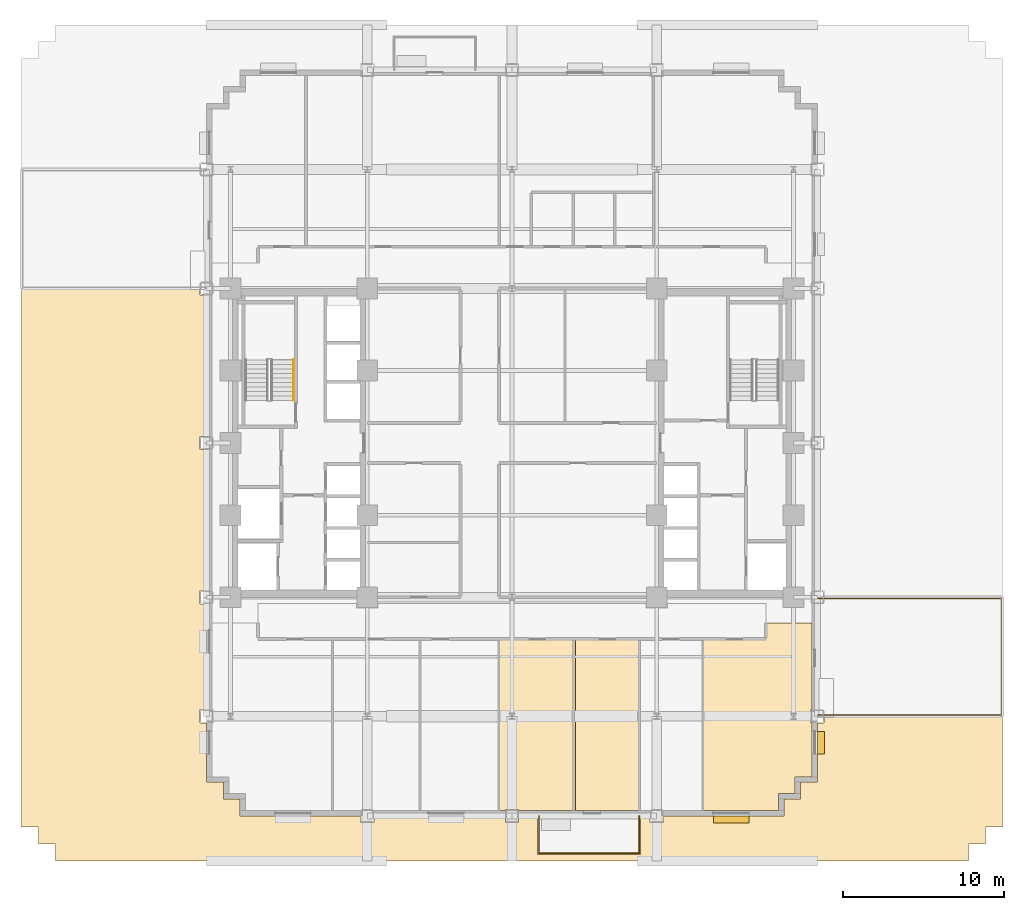
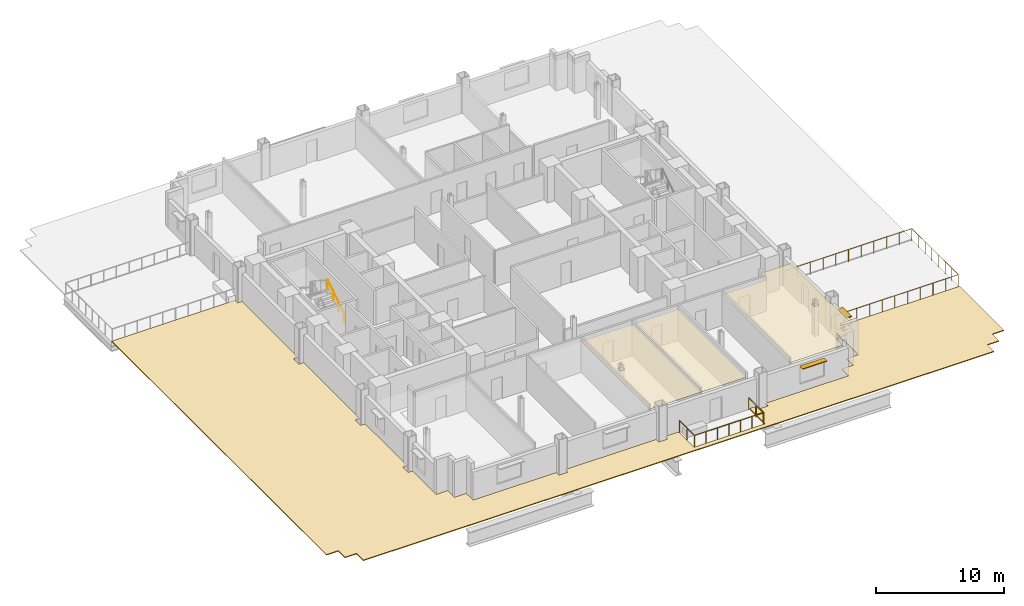
# One storey, part 11 of 13: 4 coverings, 3 railings, 2 shading devices.
"""IFC4 building model written with IfcOpenShell, lengths in metres."""

from ifc_helpers import new_model, si_unit, direction, frame, origin, origin_2d, place, context, subcontext, project, spatial, polyline, rectangle, circle, outline, extrude, source, transform, mapped, material, layer, layer_set, type_object, type_shapes, element, save


model = new_model("IFC4")

# Units and contexts
model_context = context("Model", 3, precision=1e-05, world=origin(), true_north=direction((0.0, 1.0)))
body_context = subcontext(model_context, "Body", "Model", "MODEL_VIEW")
ifc_project = project(units=[si_unit("LENGTHUNIT", "METRE"), si_unit("AREAUNIT", "SQUARE_METRE"), si_unit("VOLUMEUNIT", "CUBIC_METRE"), si_unit("PLANEANGLEUNIT", "RADIAN"), si_unit("MASSUNIT", "GRAM", prefix="KILO")], contexts=[model_context])

# Site, building, storey
site_placement = place(None, origin())
site = spatial("IfcSite", under=ifc_project, at=site_placement, CompositionType="ELEMENT")
building_placement = place(site_placement, origin())
building = spatial("IfcBuilding", under=site, at=building_placement, Name="Nuvemarco Arch Tower", CompositionType="ELEMENT")
storey_placement = place(building_placement, frame((0.0, 0.0, 27.60009765625)))
storey = spatial("IfcBuildingStorey", under=building, at=storey_placement, Name="L06", CompositionType="ELEMENT", Elevation=27.60009765625)

# Coverings
ifc_material_1 = material(Name="Mineral acoustic ceiling tile")
ifc_layer_1 = layer(ifc_material_1, 0.0400390625, Name="COV-ACOUSTIC-CLG")
ifc_layer_set_1 = layer_set([ifc_layer_1], Name="Mineral acoustic ceiling tile")
covering_type_1 = type_object("IfcCoveringType", Name="COV-ACOUSTIC-CLG", PredefinedType="CEILING", material=ifc_layer_set_1)
covering_1_placement = place(storey_placement, frame((0.0, 0.0, 2.849853515625)))
element("IfcCovering", 1, at=covering_1_placement, inside=storey, type_object=covering_type_1, Name="L06 suspended acoustic ceiling 5", PredefinedType="CEILING", context=body_context, shape_type="SweptSolid", body=[
    extrude(outline(polyline([(16.56005859375, -22.860107421875), (11.8701171875, -22.860107421875), (11.8701171875, -12.199951171875), (15.800048828125, -12.199951171875), (15.800048828125, -11.199951171875), (18.659912109375, -11.199951171875), (18.659912109375, -16.5849609375), (18.5849609375, -16.5849609375), (18.5849609375, -17.4150390625), (18.659912109375, -17.4150390625), (18.659912109375, -20.760009765625), (17.610107421875, -20.760009765625), (17.610107421875, -21.81005859375), (16.56005859375, -21.81005859375), (16.56005859375, -22.860107421875)]), holes=[polyline([(17.695068359375, -17.195068359375), (17.695068359375, -16.804931640625), (17.304931640625, -16.804931640625), (17.304931640625, -17.195068359375), (17.695068359375, -17.195068359375)])]), origin(), (0.0, 0.0, 1.0), 0.0400390625),
])
covering_2_placement = place(storey_placement, frame((0.0, 0.0, 2.849853515625)))
element("IfcCovering", 2, at=covering_2_placement, inside=storey, type_object=covering_type_1, Name="L06 suspended acoustic ceiling 8", PredefinedType="CEILING", context=body_context, shape_type="SweptSolid", body=[
    extrude(outline(polyline([(0.4150390625, -22.860107421875), (0.4150390625, -22.784912109375), (-0.4150390625, -22.784912109375), (-0.4150390625, -22.860107421875), (-0.800048828125, -22.860107421875), (-0.800048828125, -12.199951171875), (3.949951171875, -12.199951171875), (3.949951171875, -22.860107421875), (0.4150390625, -22.860107421875)]), holes=[polyline([(0.195068359375, -17.195068359375), (0.195068359375, -16.804931640625), (-0.195068359375, -16.804931640625), (-0.195068359375, -17.195068359375), (0.195068359375, -17.195068359375)])]), origin(), (0.0, 0.0, 1.0), 0.0400390625),
])
covering_3_placement = place(storey_placement, frame((0.0, 0.0, 2.849853515625)))
element("IfcCovering", 3, at=covering_3_placement, inside=storey, type_object=covering_type_1, Name="L06 suspended acoustic ceiling 9", PredefinedType="CEILING", context=body_context, shape_type="SweptSolid", body=[
    extrude(outline(polyline([(3.949951171875, -22.860107421875), (3.949951171875, -12.199951171875), (7.909912109375, -12.199951171875), (7.909912109375, -22.860107421875), (3.949951171875, -22.860107421875)])), origin(), (0.0, 0.0, 1.0), 0.0400390625),
])
ifc_material_2 = material(Name="Elastomeric roofing membrane and insulation")
ifc_layer_2 = layer(ifc_material_2, 0.080078125, Name="COV-ROOF-MEMB")
ifc_layer_set_2 = layer_set([ifc_layer_2], Name="Elastomeric roofing membrane and insulation")
covering_type_2 = type_object("IfcCoveringType", Name="COV-ROOF-MEMB", PredefinedType="ROOFING", material=ifc_layer_set_2)
covering_4_placement = place(storey_placement, origin())
element("IfcCovering", 4, at=covering_4_placement, inside=storey, type_object=covering_type_2, Name="L06 setback roof elastomeric membrane and insulation 2", PredefinedType="ROOFING", context=body_context, shape_type="SweptSolid", body=[
    extrude(outline(polyline([(30.5, -23.89990234375), (29.449951171875, -23.89990234375), (29.449951171875, -24.949951171875), (28.39990234375, -24.949951171875), (28.39990234375, -26.0), (-28.39990234375, -26.0), (-28.39990234375, -24.949951171875), (-29.449951171875, -24.949951171875), (-29.449951171875, -23.89990234375), (-30.5, -23.89990234375), (-30.5, 9.60009765625), (-19.409912109375, 9.60009765625), (-19.409912109375, 9.18994140625), (-19.0, 9.18994140625), (-19.0, 0.409912109375), (-19.409912109375, 0.409912109375), (-19.409912109375, -0.409912109375), (-19.0, -0.409912109375), (-19.0, -9.18994140625), (-19.409912109375, -9.18994140625), (-19.409912109375, -10.010009765625), (-19.0, -10.010009765625), (-19.0, -16.590087890625), (-19.409912109375, -16.590087890625), (-19.409912109375, -17.409912109375), (-19.0, -17.409912109375), (-19.0, -21.10009765625), (-17.949951171875, -21.10009765625), (-17.949951171875, -22.14990234375), (-16.89990234375, -22.14990234375), (-16.89990234375, -23.199951171875), (-9.409912109375, -23.199951171875), (-9.409912109375, -23.610107421875), (-8.590087890625, -23.610107421875), (-8.590087890625, -23.199951171875), (-0.409912109375, -23.199951171875), (-0.409912109375, -23.610107421875), (0.409912109375, -23.610107421875), (0.409912109375, -23.199951171875), (1.60009765625, -23.199951171875), (1.60009765625, -25.60009765625), (8.0, -25.60009765625), (8.0, -23.199951171875), (8.590087890625, -23.199951171875), (8.590087890625, -23.610107421875), (9.409912109375, -23.610107421875), (9.409912109375, -23.199951171875), (16.89990234375, -23.199951171875), (16.89990234375, -22.14990234375), (17.949951171875, -22.14990234375), (17.949951171875, -21.10009765625), (19.0, -21.10009765625), (19.0, -17.409912109375), (19.409912109375, -17.409912109375), (19.409912109375, -17.0), (30.5, -17.0), (30.5, -23.89990234375)])), origin(), (0.0, 0.0, 1.0), 0.079833984375),
])

# Railings
ifc_material_3 = material(Name="Brushed stainless steel handrail", Category="steel")
railing_type_1 = type_object("IfcRailingType", Name="RL-HANDRAIL-900", PredefinedType="HANDRAIL", material=ifc_material_3)
railing_1_placement = place(storey_placement, frame((-13.590087890625, 2.64990234375, 0.182373046875)))
element("IfcRailing", 5, at=railing_1_placement, inside=storey, type_object=railing_type_1, Name="L06 ST-1 stair handrail 1", PredefinedType="HANDRAIL", context=body_context, shape_type="SweptSolid", body=[
    extrude(circle(Radius=0.02392578125, at=origin_2d()), frame((0.0, 0.0, 0.8759765625), z_axis=(0.0, 0.837749427056, 0.546054848405), x_axis=(-1.0, 0.0, 0.0)), (0.0, 0.0, 1.0), 3.008056640625),
    extrude(circle(Radius=0.02099609375, at=origin_2d()), origin(), (0.0, 0.0, 1.0), 0.851806640625),
    extrude(circle(Radius=0.02099609375, at=origin_2d()), frame((0.0, 0.840087890625, 0.547607421875)), (0.0, 0.0, 1.0), 0.851806640625),
    extrude(circle(Radius=0.02099609375, at=origin_2d()), frame((0.0, 1.679931640625, 1.094970703125)), (0.0, 0.0, 1.0), 0.851806640625),
    extrude(circle(Radius=0.02099609375, at=origin_2d()), frame((0.0, 2.52001953125, 1.642578125)), (0.0, 0.0, 1.0), 0.851806640625),
])
ifc_material_4 = material(Name="Dark anodised balustrade steel S355", Category="steel")
railing_type_2 = type_object("IfcRailingType", Name="RL-SETBACK-GUARD", PredefinedType="BALUSTRADE", material=ifc_material_4)
railing_2_placement = place(storey_placement, frame((19.0, -16.919921875, 0.0)))
element("IfcRailing", 6, at=railing_2_placement, inside=storey, type_object=railing_type_2, Name="L06 setback terrace perimeter balustrade guard", PredefinedType="BALUSTRADE", context=body_context, shape_type="SweptSolid", body=[
    extrude(circle(Radius=0.02392578125, at=origin_2d()), frame((0.0, 0.0, 1.15576171875), z_axis=(1.0, 0.0, 0.0), x_axis=(0.0, 1.0, 0.0)), (0.0, 0.0, 1.0), 11.419921875),
    extrude(circle(Radius=0.02392578125, at=origin_2d()), frame((11.419921875, 0.0, 1.15576171875), z_axis=(0.0, 1.0, 0.0), x_axis=(-1.0, 0.0, 0.0)), (0.0, 0.0, 1.0), 7.239990234375),
    extrude(circle(Radius=0.02392578125, at=origin_2d()), frame((11.419921875, 7.239990234375, 1.15576171875), z_axis=(-1.0, 0.0, 0.0), x_axis=(0.0, -1.0, 0.0)), (0.0, 0.0, 1.0), 11.419921875),
    extrude(circle(Radius=0.02099609375, at=origin_2d()), origin(), (0.0, 0.0, 1.0), 1.1318359375),
    extrude(circle(Radius=0.02099609375, at=origin_2d()), frame((1.14208984375, 0.0, 0.0)), (0.0, 0.0, 1.0), 1.1318359375),
    extrude(circle(Radius=0.02099609375, at=origin_2d()), frame((2.283935546875, 0.0, 0.0)), (0.0, 0.0, 1.0), 1.1318359375),
    extrude(circle(Radius=0.02099609375, at=origin_2d()), frame((3.426025390625, 0.0, 0.0)), (0.0, 0.0, 1.0), 1.1318359375),
    extrude(circle(Radius=0.02099609375, at=origin_2d()), frame((4.56787109375, 0.0, 0.0)), (0.0, 0.0, 1.0), 1.1318359375),
    extrude(circle(Radius=0.02099609375, at=origin_2d()), frame((5.7099609375, 0.0, 0.0)), (0.0, 0.0, 1.0), 1.1318359375),
    extrude(circle(Radius=0.02099609375, at=origin_2d()), frame((6.85205078125, 0.0, 0.0)), (0.0, 0.0, 1.0), 1.1318359375),
    extrude(circle(Radius=0.02099609375, at=origin_2d()), frame((7.993896484375, 0.0, 0.0)), (0.0, 0.0, 1.0), 1.1318359375),
    extrude(circle(Radius=0.02099609375, at=origin_2d()), frame((9.135986328125, 0.0, 0.0)), (0.0, 0.0, 1.0), 1.1318359375),
    extrude(circle(Radius=0.02099609375, at=origin_2d()), frame((10.27783203125, 0.0, 0.0)), (0.0, 0.0, 1.0), 1.1318359375),
    extrude(circle(Radius=0.02099609375, at=origin_2d()), frame((11.419921875, 0.0, 0.0)), (0.0, 0.0, 1.0), 1.1318359375),
    extrude(circle(Radius=0.02099609375, at=origin_2d()), frame((11.419921875, 1.0341796875, 0.0)), (0.0, 0.0, 1.0), 1.1318359375),
    extrude(circle(Radius=0.02099609375, at=origin_2d()), frame((11.419921875, 2.068603515625, 0.0)), (0.0, 0.0, 1.0), 1.1318359375),
    extrude(circle(Radius=0.02099609375, at=origin_2d()), frame((11.419921875, 3.102783203125, 0.0)), (0.0, 0.0, 1.0), 1.1318359375),
    extrude(circle(Radius=0.02099609375, at=origin_2d()), frame((11.419921875, 4.13720703125, 0.0)), (0.0, 0.0, 1.0), 1.1318359375),
    extrude(circle(Radius=0.02099609375, at=origin_2d()), frame((11.419921875, 5.17138671875, 0.0)), (0.0, 0.0, 1.0), 1.1318359375),
    extrude(circle(Radius=0.02099609375, at=origin_2d()), frame((11.419921875, 6.205810546875, 0.0)), (0.0, 0.0, 1.0), 1.1318359375),
    extrude(circle(Radius=0.02099609375, at=origin_2d()), frame((11.419921875, 7.239990234375, 0.0)), (0.0, 0.0, 1.0), 1.1318359375),
    extrude(circle(Radius=0.02099609375, at=origin_2d()), frame((10.27783203125, 7.239990234375, 0.0)), (0.0, 0.0, 1.0), 1.1318359375),
    extrude(circle(Radius=0.02099609375, at=origin_2d()), frame((9.135986328125, 7.239990234375, 0.0)), (0.0, 0.0, 1.0), 1.1318359375),
    extrude(circle(Radius=0.02099609375, at=origin_2d()), frame((7.993896484375, 7.239990234375, 0.0)), (0.0, 0.0, 1.0), 1.1318359375),
    extrude(circle(Radius=0.02099609375, at=origin_2d()), frame((6.85205078125, 7.239990234375, 0.0)), (0.0, 0.0, 1.0), 1.1318359375),
    extrude(circle(Radius=0.02099609375, at=origin_2d()), frame((5.7099609375, 7.239990234375, 0.0)), (0.0, 0.0, 1.0), 1.1318359375),
    extrude(circle(Radius=0.02099609375, at=origin_2d()), frame((4.56787109375, 7.239990234375, 0.0)), (0.0, 0.0, 1.0), 1.1318359375),
    extrude(circle(Radius=0.02099609375, at=origin_2d()), frame((3.426025390625, 7.239990234375, 0.0)), (0.0, 0.0, 1.0), 1.1318359375),
    extrude(circle(Radius=0.02099609375, at=origin_2d()), frame((2.283935546875, 7.239990234375, 0.0)), (0.0, 0.0, 1.0), 1.1318359375),
    extrude(circle(Radius=0.02099609375, at=origin_2d()), frame((1.14208984375, 7.239990234375, 0.0)), (0.0, 0.0, 1.0), 1.1318359375),
    extrude(circle(Radius=0.02099609375, at=origin_2d()), frame((0.0, 7.239990234375, 0.0)), (0.0, 0.0, 1.0), 1.1318359375),
])
railing_type_3 = type_object("IfcRailingType", Name="RL-TERR-GUARD", PredefinedType="BALUSTRADE", material=ifc_material_4)
railing_3_placement = place(storey_placement, frame((1.679931640625, -23.199951171875, 0.0)))
element("IfcRailing", 7, at=railing_3_placement, inside=storey, type_object=railing_type_3, Name="L06 spiral terrace perimeter balustrade guard", PredefinedType="BALUSTRADE", context=body_context, shape_type="SweptSolid", body=[
    extrude(circle(Radius=0.02392578125, at=origin_2d()), frame((0.0, 0.0, 1.1259765625), z_axis=(0.0, -1.0, 0.0), x_axis=(1.0, 0.0, 0.0)), (0.0, 0.0, 1.0), 2.320068359375),
    extrude(circle(Radius=0.02392578125, at=origin_2d()), frame((0.0, -2.320068359375, 1.1259765625), z_axis=(1.0, 0.0, 0.0), x_axis=(0.0, 1.0, 0.0)), (0.0, 0.0, 1.0), 6.239990234375),
    extrude(circle(Radius=0.02392578125, at=origin_2d()), frame((6.239990234375, -2.320068359375, 1.1259765625), z_axis=(0.0, 1.0, 0.0), x_axis=(-1.0, 0.0, 0.0)), (0.0, 0.0, 1.0), 2.320068359375),
    extrude(circle(Radius=0.02099609375, at=origin_2d()), origin(), (0.0, 0.0, 1.0), 1.101806640625),
    extrude(circle(Radius=0.02099609375, at=origin_2d()), frame((0.0, -1.16015625, 0.0)), (0.0, 0.0, 1.0), 1.101806640625),
    extrude(circle(Radius=0.02099609375, at=origin_2d()), frame((0.0, -2.320068359375, 0.0)), (0.0, 0.0, 1.0), 1.101806640625),
    extrude(circle(Radius=0.02099609375, at=origin_2d()), frame((1.0400390625, -2.320068359375, 0.0)), (0.0, 0.0, 1.0), 1.101806640625),
    extrude(circle(Radius=0.02099609375, at=origin_2d()), frame((2.080078125, -2.320068359375, 0.0)), (0.0, 0.0, 1.0), 1.101806640625),
    extrude(circle(Radius=0.02099609375, at=origin_2d()), frame((3.1201171875, -2.320068359375, 0.0)), (0.0, 0.0, 1.0), 1.101806640625),
    extrude(circle(Radius=0.02099609375, at=origin_2d()), frame((4.159912109375, -2.320068359375, 0.0)), (0.0, 0.0, 1.0), 1.101806640625),
    extrude(circle(Radius=0.02099609375, at=origin_2d()), frame((5.199951171875, -2.320068359375, 0.0)), (0.0, 0.0, 1.0), 1.101806640625),
    extrude(circle(Radius=0.02099609375, at=origin_2d()), frame((6.239990234375, -2.320068359375, 0.0)), (0.0, 0.0, 1.0), 1.101806640625),
    extrude(circle(Radius=0.02099609375, at=origin_2d()), frame((6.239990234375, -1.16015625, 0.0)), (0.0, 0.0, 1.0), 1.101806640625),
    extrude(circle(Radius=0.02099609375, at=origin_2d()), frame((6.239990234375, 0.0, 0.0)), (0.0, 0.0, 1.0), 1.101806640625),
])

# Shading devices
ifc_material_5 = material(Name="Anodised aluminium 6063-T6", Category="aluminium")
shading_device_type_1 = type_object("IfcShadingDeviceType", Name="SHD-BRISE-SOLEIL", PredefinedType="USERDEFINED", material=ifc_material_5)
shared_shape_1 = source(origin(), body_context, "Body", "SweptSolid", [
    extrude(rectangle(XDim=2.199951171875, YDim=0.449951171875, at=origin_2d()), origin(), (0.0, 0.0, 1.0), 0.080078125),
])
type_shapes(shading_device_type_1, [shared_shape_1])
shading_device_1_placement = place(storey_placement, frame((13.628662109375, -23.4150390625, 2.454833984375), z_axis=(0.0, 0.0, 1.0), x_axis=(1.0, 0.0, 0.0)))
element("IfcShadingDevice", 8, at=shading_device_1_placement, inside=storey, type_object=shading_device_type_1, Name="L06 horizontal brise-soleil sunshade", ObjectType="SUNSHADE", PredefinedType="USERDEFINED", context=body_context, shape_type="MappedRepresentation", body=[
    mapped(shared_shape_1, transform((0.0, 0.0, 0.0), scale=1.0)),
])
shading_device_type_2 = type_object("IfcShadingDeviceType", Name="SHD-BRISE-NARROW", PredefinedType="USERDEFINED", material=ifc_material_5)
shared_shape_2 = source(origin(), body_context, "Body", "SweptSolid", [
    extrude(rectangle(XDim=1.39990234375, YDim=0.449951171875, at=origin_2d()), origin(), (0.0, 0.0, 1.0), 0.080078125),
])
type_shapes(shading_device_type_2, [shared_shape_2])
shading_device_2_placement = place(storey_placement, frame((19.215087890625, -18.6435546875, 2.454833984375), z_axis=(0.0, 0.0, 1.0), x_axis=(0.0, 1.0, 0.0)))
element("IfcShadingDevice", 9, at=shading_device_2_placement, inside=storey, type_object=shading_device_type_2, Name="L06 horizontal brise-soleil sunshade", ObjectType="SUNSHADE", PredefinedType="USERDEFINED", context=body_context, shape_type="MappedRepresentation", body=[
    mapped(shared_shape_2, transform((0.0, 0.0, 0.0), scale=1.0)),
])

save(model, "model.ifc")
